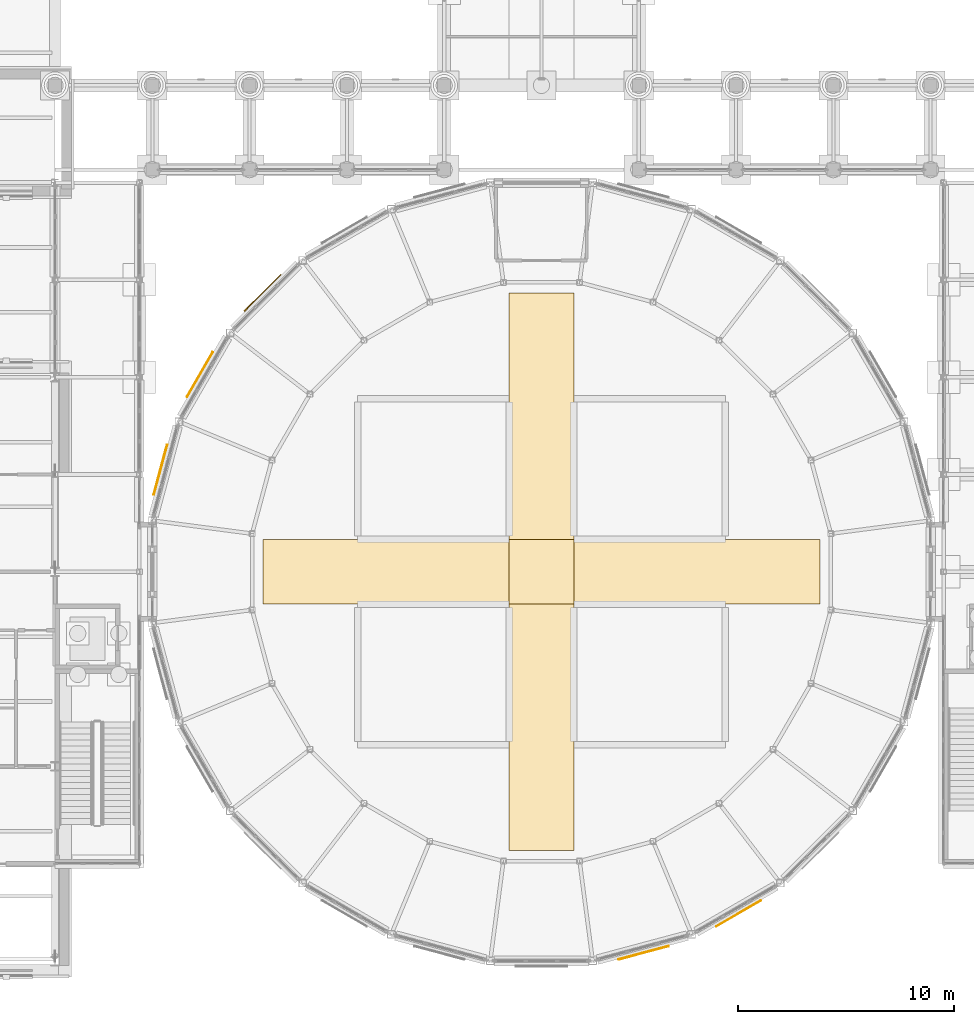
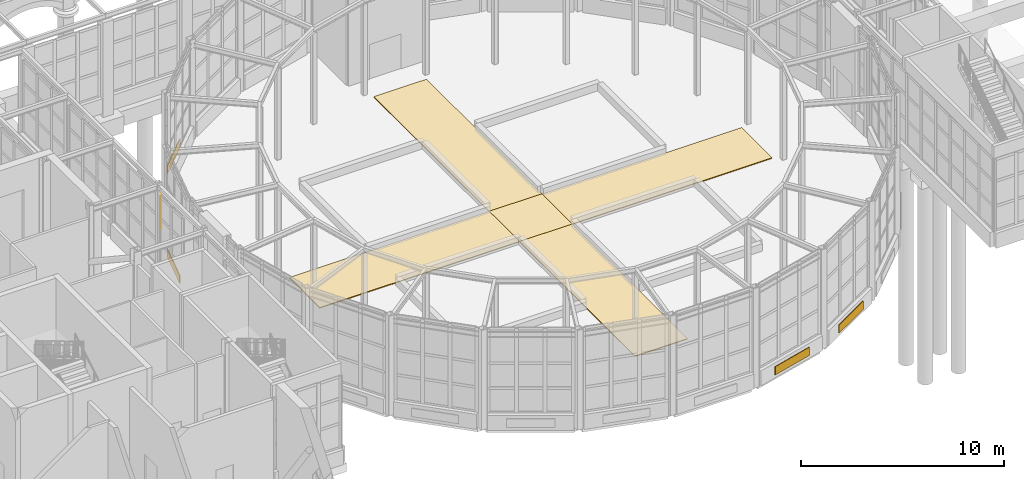
# One storey, part 93 of 106: 10 coverings.
"""IFC4 building model written with IfcOpenShell, lengths in metres."""

from ifc_helpers import new_model, si_unit, direction, frame, origin, origin_2d, place, context, subcontext, project, spatial, polyline, rectangle, outline, extrude, material, layer, layer_set, type_object, element, save


model = new_model("IFC4")

# Units and contexts
model_context = context("Model", 3, precision=1e-05, world=origin(), true_north=direction((0.0, 1.0)))
body_context = subcontext(model_context, "Body", "Model", "MODEL_VIEW")
ifc_project = project(units=[si_unit("LENGTHUNIT", "METRE"), si_unit("AREAUNIT", "SQUARE_METRE"), si_unit("VOLUMEUNIT", "CUBIC_METRE"), si_unit("PLANEANGLEUNIT", "RADIAN"), si_unit("MASSUNIT", "GRAM", prefix="KILO")], contexts=[model_context])

# Site, building, storey
site_placement = place(None, origin())
site = spatial("IfcSite", under=ifc_project, at=site_placement, CompositionType="ELEMENT")
building_placement = place(site_placement, origin())
building = spatial("IfcBuilding", under=site, at=building_placement, Name="Hortulan Conservatory and Botanical Research Centre", CompositionType="ELEMENT")
storey_placement = place(building_placement, origin())
storey = spatial("IfcBuildingStorey", under=building, at=storey_placement, Name="L00", CompositionType="ELEMENT", Elevation=0.0)

# Coverings
ifc_material_1 = material(Name="Sandstone paving flags", Category="masonry")
ifc_layer_1 = layer(ifc_material_1, 0.050048828125)
ifc_layer_set_1 = layer_set([ifc_layer_1], Name="Palm Dome Sandstone Paving 50")
covering_type_1 = type_object("IfcCoveringType", Name="Palm Dome Sandstone Paving 50", PredefinedType="FLOORING", material=ifc_layer_set_1)
covering_1_placement = place(storey_placement, origin())
element("IfcCovering", 1, at=covering_1_placement, inside=storey, type_object=covering_type_1, Name="Palm Dome path north", PredefinedType="FLOORING", context=body_context, shape_type="SweptSolid", body=[
    extrude(outline(polyline([(55.5, 19.5), (52.5, 19.5), (52.5, 30.884521484375), (55.5, 30.884521484375), (55.5, 19.5)])), origin(), (0.0, 0.0, 1.0), 0.050048828125),
])
covering_2_placement = place(storey_placement, origin())
element("IfcCovering", 2, at=covering_2_placement, inside=storey, type_object=covering_type_1, Name="Palm Dome path south", PredefinedType="FLOORING", context=body_context, shape_type="SweptSolid", body=[
    extrude(outline(polyline([(52.5, 16.5), (55.5, 16.5), (55.5, 5.115478515625), (52.5, 5.115478515625), (52.5, 16.5)])), origin(), (0.0, 0.0, 1.0), 0.050048828125),
])
covering_3_placement = place(storey_placement, origin())
element("IfcCovering", 3, at=covering_3_placement, inside=storey, type_object=covering_type_1, Name="Palm Dome path east", PredefinedType="FLOORING", context=body_context, shape_type="SweptSolid", body=[
    extrude(outline(polyline([(55.5, 16.5), (55.5, 19.5), (66.884521484375, 19.5), (66.884521484375, 16.5), (55.5, 16.5)])), origin(), (0.0, 0.0, 1.0), 0.050048828125),
])
covering_4_placement = place(storey_placement, origin())
element("IfcCovering", 4, at=covering_4_placement, inside=storey, type_object=covering_type_1, Name="Palm Dome path west", PredefinedType="FLOORING", context=body_context, shape_type="SweptSolid", body=[
    extrude(outline(polyline([(52.5, 19.5), (52.5, 16.5), (41.115478515625, 16.5), (41.115478515625, 19.5), (52.5, 19.5)])), origin(), (0.0, 0.0, 1.0), 0.050048828125),
])
covering_5_placement = place(storey_placement, origin())
element("IfcCovering", 5, at=covering_5_placement, inside=storey, type_object=covering_type_1, Name="Palm Dome path centre", PredefinedType="FLOORING", context=body_context, shape_type="SweptSolid", body=[
    extrude(outline(polyline([(52.5, 16.5), (52.5, 19.5), (55.5, 19.5), (55.5, 16.5), (52.5, 16.5)])), origin(), (0.0, 0.0, 1.0), 0.050048828125),
])
ifc_material_2 = material(Name="Sandstone masonry (Hawkesbury yellow block)", Category="masonry")
ifc_layer_2 = layer(ifc_material_2, 0.0400390625)
ifc_layer_set_2 = layer_set([ifc_layer_2], Name="Sandstone Relief Panel 40")
covering_type_2 = type_object("IfcCoveringType", Name="Sandstone Relief Panel 40", PredefinedType="CLADDING", material=ifc_layer_set_2)
for number, where, z_axis, x_axis, name in (
    (6, (41.098876953125, 30.901123046875, 0.199951171875), (0.0, 0.0, 1.0), (0.707106781187, 0.707106781187, 0.0), "Relief panel"),
    (7, (38.19921875, 27.12255859375, 0.199951171875), (0.0, 0.0, 1.0), (0.499981861897, 0.86603587557, 0.0), "Relief panel"),
    (8, (36.376708984375, 22.722412109375, 0.199951171875), (0.0, 0.0, 1.0), (0.258822416818, 0.965924922834, 0.0), "Relief panel"),
    (9, (58.722412109375, 0.376708984375, 0.199951171875), (0.0, 0.0, 1.0), (-0.965924922834, -0.258822416818, 0.0), "Relief panel"),
    (10, (63.12255859375, 2.19921875, 0.199951171875), (0.0, 0.0, 1.0), (-0.86603587557, -0.499981861897, 0.0), "Relief panel"),
):
    element("IfcCovering", number, at=place(storey_placement, frame(where, z_axis=z_axis, x_axis=x_axis)), inside=storey, type_object=covering_type_2, Name=name, PredefinedType="CLADDING", context=body_context, shape_type="SweptSolid", body=[
        extrude(rectangle(XDim=2.39990234375, YDim=0.0400390625, at=origin_2d()), origin(), (0.0, 0.0, 1.0), 0.5),
    ])

save(model, "model.ifc")
